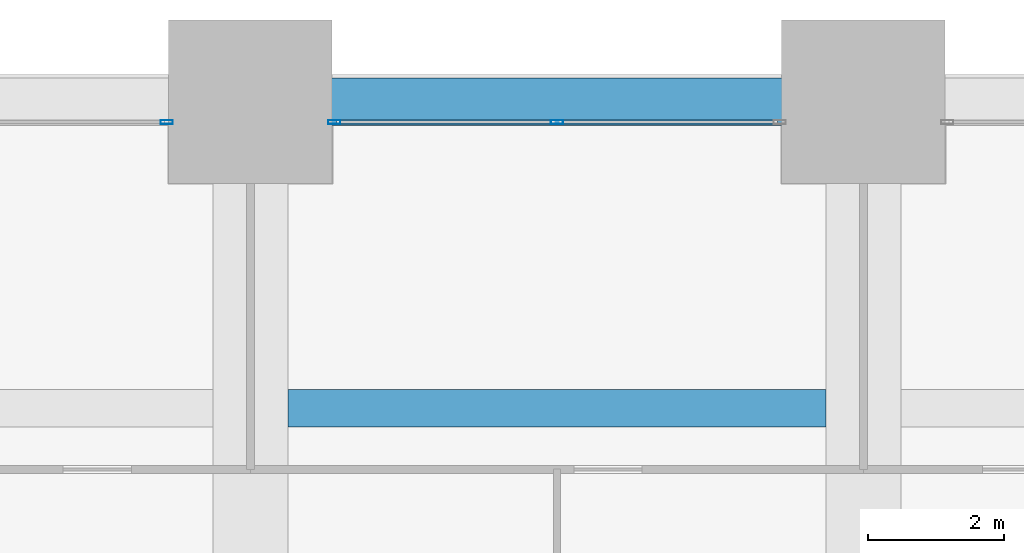
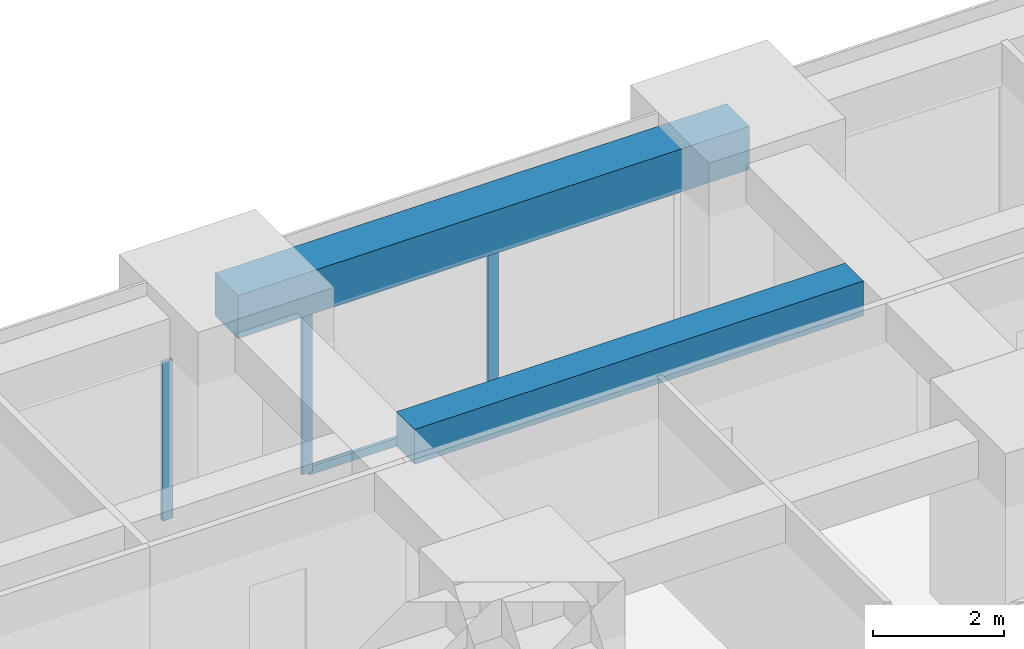
# One storey, part 30 of 45: 4 members, 2 beams, 2 elements without a shape of their own.
"""IFC4 building model written with IfcOpenShell, lengths in metres."""

from ifc_helpers import new_model, si_unit, direction, frame, origin, origin_2d, place, context, subcontext, project, spatial, rectangle, hollow_rectangle, extrude, material, material_profile, profile_set, type_object, element, aggregate, save


model = new_model("IFC4")

# Units and contexts
model_context = context("Model", 3, precision=1e-05, world=origin(), true_north=direction((0.0, 1.0)))
body_context = subcontext(model_context, "Body", "Model", "MODEL_VIEW")
ifc_project = project(units=[si_unit("LENGTHUNIT", "METRE"), si_unit("AREAUNIT", "SQUARE_METRE"), si_unit("VOLUMEUNIT", "CUBIC_METRE"), si_unit("PLANEANGLEUNIT", "RADIAN"), si_unit("MASSUNIT", "GRAM", prefix="KILO")], contexts=[model_context])

# Site, building, storey
site_placement = place(None, origin())
site = spatial("IfcSite", under=ifc_project, at=site_placement, CompositionType="ELEMENT")
building_placement = place(site_placement, origin())
building = spatial("IfcBuilding", under=site, at=building_placement, Name="Zorevar Civic Tower", CompositionType="ELEMENT")
storey_placement = place(building_placement, frame((0.0, 0.0, 39.800048828125)))
storey = spatial("IfcBuildingStorey", under=building, at=storey_placement, Name="L09", CompositionType="ELEMENT", Elevation=39.800048828125)

# Beam
ifc_material_1 = material(Name="Concrete C50/60", Category="concrete")
ifc_material_profile_1 = material_profile(ifc_material_1, rectangle(XDim=0.550048828125, YDim=0.64990234375, at=origin_2d()), Name="RC 550x650")
ifc_profile_set_1 = profile_set([ifc_material_profile_1], Name="Concrete C50/60")
beam_type_1 = type_object("IfcBeamType", Name="Beam RC 550x650", PredefinedType="BEAM", material=ifc_profile_set_1)
beam_1_placement = place(storey_placement, frame((27.550048828125, 49.5, 3.425048828125), z_axis=(1.0, 0.0, 0.0), x_axis=(0.0, 1.0, 0.0)))
element("IfcBeam", 1, at=beam_1_placement, inside=storey, type_object=beam_type_1, Name="Secondary beam L10", PredefinedType="BEAM", context=body_context, shape_type="SweptSolid", body=[
    extrude(rectangle(XDim=0.550048828125, YDim=0.64990234375, at=origin_2d()), origin(), (0.0, 0.0, 1.0), 7.89990234375),
])

# Curtain wall, member
ifc_material_2 = material(Name="Dark grey solar-control glass in black aluminium frame", Category="aluminium")
curtain_wall_type = type_object("IfcCurtainWallType", Name="Curtain wall CW2 low zone", PredefinedType="NOTDEFINED", material=ifc_material_2)
curtain_wall_1_placement = place(storey_placement, origin())
curtain_wall_1 = element("IfcCurtainWall", 2, at=curtain_wall_1_placement, inside=storey, type_object=curtain_wall_type, Name="CW2 L09", PredefinedType="NOTDEFINED")
ifc_material_3 = material(Name="Aluminium, black anodised", Category="aluminium")
ifc_material_profile_2 = material_profile(ifc_material_3, hollow_rectangle(XDim=0.06005859375, YDim=0.179931640625, WallThickness=0.00390625, at=origin_2d()), Name="AL 180x60x4")
ifc_profile_set_2 = profile_set([ifc_material_profile_2], Name="Aluminium, black anodised")
member_type_1 = type_object("IfcMemberType", Name="CW2 mullion AL 180x60x4", PredefinedType="MULLION", material=ifc_profile_set_2)
member_1_placement = place(storey_placement, frame((25.77001953125, 53.699951171875, 0.0), z_axis=(0.0, 0.0, 1.0), x_axis=(0.0, 1.0, 0.0)))
member_1 = element("IfcMember", 3, at=member_1_placement, type_object=member_type_1, Name="CW2 mullion 3", PredefinedType="MULLION", context=body_context, shape_type="SweptSolid", body=[
    extrude(hollow_rectangle(XDim=0.06005859375, YDim=0.179931640625, WallThickness=0.00390625, at=origin_2d()), origin(), (0.0, 0.0, 1.0), 2.949951171875),
])
aggregate(curtain_wall_1, [member_1])

# Curtain wall, members
curtain_wall_2_placement = place(storey_placement, origin())
curtain_wall_2 = element("IfcCurtainWall", 4, at=curtain_wall_2_placement, inside=storey, type_object=curtain_wall_type, Name="CW2 L09", PredefinedType="NOTDEFINED")
member_2_placement = place(storey_placement, frame((28.22998046875, 53.699951171875, 0.0), z_axis=(0.0, 0.0, 1.0), x_axis=(0.0, 1.0, 0.0)))
member_2 = element("IfcMember", 5, at=member_2_placement, type_object=member_type_1, Name="CW2 mullion 1", PredefinedType="MULLION", context=body_context, shape_type="SweptSolid", body=[
    extrude(hollow_rectangle(XDim=0.06005859375, YDim=0.179931640625, WallThickness=0.00390625, at=origin_2d()), origin(), (0.0, 0.0, 1.0), 2.949951171875),
])
member_3_placement = place(storey_placement, frame((31.5, 53.699951171875, 0.06005859375), z_axis=(0.0, 0.0, 1.0), x_axis=(0.0, 1.0, 0.0)))
member_3 = element("IfcMember", 6, at=member_3_placement, type_object=member_type_1, Name="CW2 mullion 2", PredefinedType="MULLION", context=body_context, shape_type="SweptSolid", body=[
    extrude(hollow_rectangle(XDim=0.06005859375, YDim=0.179931640625, WallThickness=0.00390625, at=origin_2d()), origin(), (0.0, 0.0, 1.0), 2.889892578125),
])
ifc_material_4 = material(Name="Aluminium, black anodised", Category="aluminium")
ifc_material_profile_3 = material_profile(ifc_material_4, hollow_rectangle(XDim=0.06005859375, YDim=0.14990234375, WallThickness=0.00390625, at=origin_2d()), Name="AL 150x60x4")
ifc_profile_set_3 = profile_set([ifc_material_profile_3], Name="Aluminium, black anodised")
member_type_2 = type_object("IfcMemberType", Name="CW2 transom AL 150x60x4", PredefinedType="USERDEFINED", material=ifc_profile_set_3)
member_4_placement = place(storey_placement, frame((28.260009765625, 53.699951171875, 0.030029296875), z_axis=(1.0, 0.0, 0.0), x_axis=(0.0, 1.0, 0.0)))
member_4 = element("IfcMember", 7, at=member_4_placement, type_object=member_type_2, Name="CW2 sill transom", ObjectType="TRANSOM", PredefinedType="USERDEFINED", context=body_context, shape_type="SweptSolid", body=[
    extrude(hollow_rectangle(XDim=0.06005859375, YDim=0.14990234375, WallThickness=0.00390625, at=origin_2d()), origin(), (0.0, 0.0, 1.0), 6.47998046875),
])
aggregate(curtain_wall_2, [member_2, member_3, member_4])

# Beam
ifc_material_5 = material(Name="Concrete C50/60", Category="concrete")
ifc_material_profile_4 = material_profile(ifc_material_5, rectangle(XDim=0.699951171875, YDim=0.800048828125, at=origin_2d()), Name="RC 700x800")
ifc_profile_set_4 = profile_set([ifc_material_profile_4], Name="Concrete C50/60")
beam_type_2 = type_object("IfcBeamType", Name="Edge beam RC 700x800", PredefinedType="SPANDREL", material=ifc_profile_set_4)
beam_2_placement = place(storey_placement, frame((27.0, 54.0, 3.349853515625), z_axis=(1.0, 0.0, 0.0), x_axis=(0.0, 1.0, 0.0)))
element("IfcBeam", 8, at=beam_2_placement, inside=storey, type_object=beam_type_2, Name="Edge beam L10", PredefinedType="SPANDREL", context=body_context, shape_type="SweptSolid", body=[
    extrude(rectangle(XDim=0.699951171875, YDim=0.800048828125, at=origin_2d()), origin(), (0.0, 0.0, 1.0), 9.0),
])

save(model, "model.ifc")
